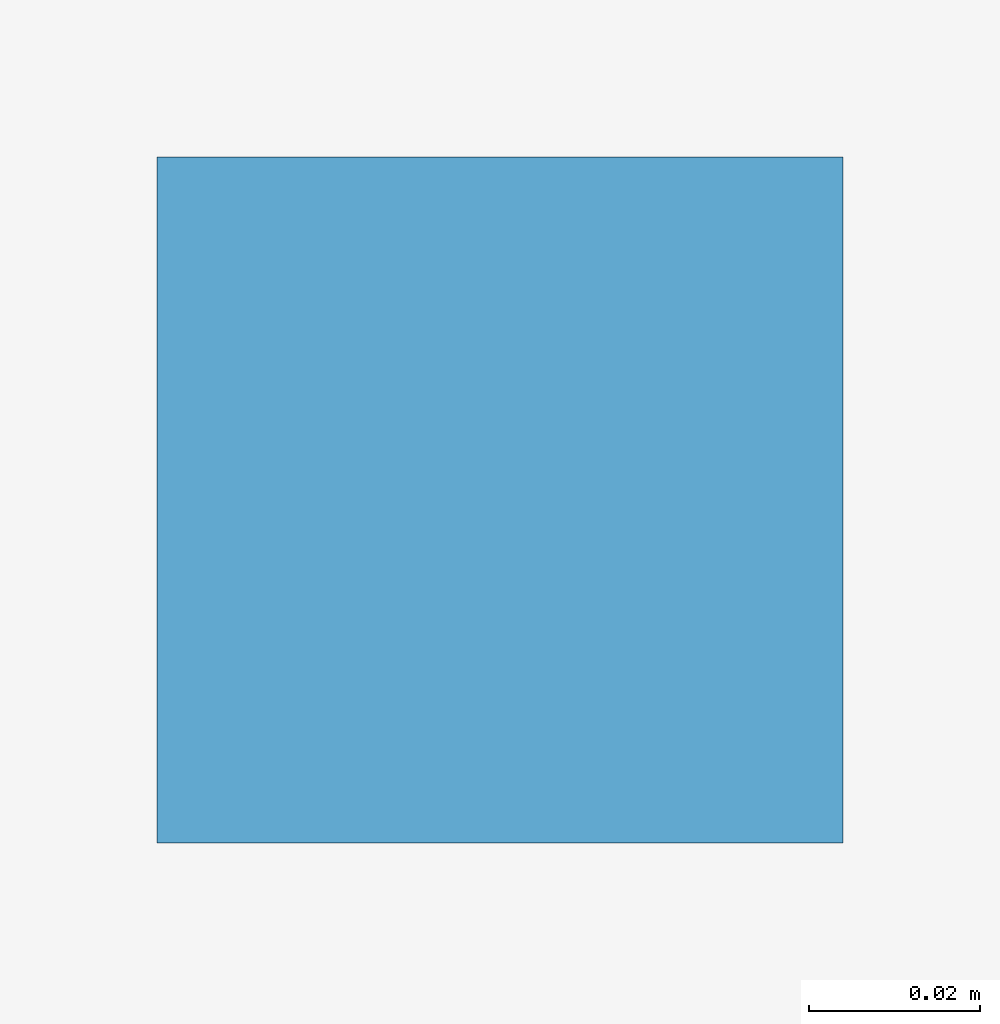
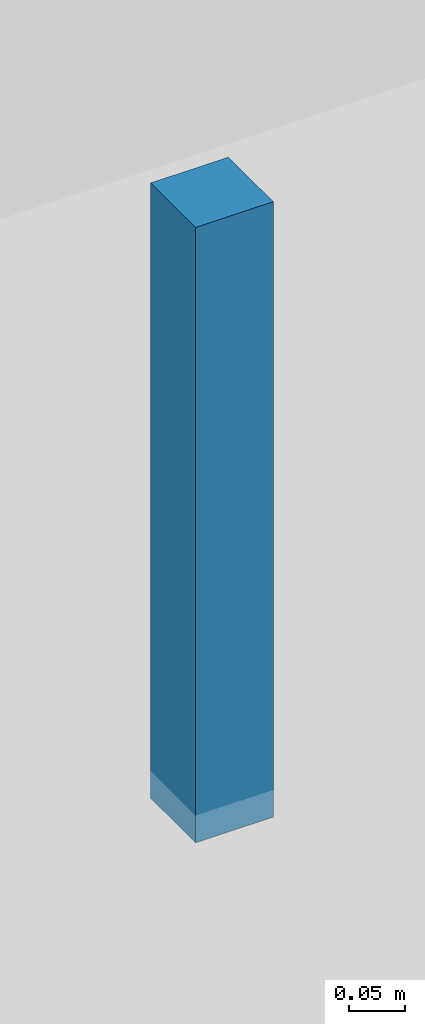
# One storey, part 12 of 17: 1 discrete accessory.
"""IFC4 building model written with IfcOpenShell, lengths in metres."""

from ifc_helpers import new_model, si_unit, direction, frame, origin, origin_2d, place, context, subcontext, project, spatial, rectangle, extrude, source, transform, mapped, material, type_object, element, save


model = new_model("IFC4")

# Units and contexts
model_context = context("Model", 3, precision=1e-05, world=origin(), true_north=direction((0.0, 1.0)))
body_context = subcontext(model_context, "Body", "Model", "MODEL_VIEW")
ifc_project = project(units=[si_unit("LENGTHUNIT", "METRE"), si_unit("AREAUNIT", "SQUARE_METRE"), si_unit("VOLUMEUNIT", "CUBIC_METRE"), si_unit("PLANEANGLEUNIT", "RADIAN"), si_unit("MASSUNIT", "GRAM", prefix="KILO")], contexts=[model_context])

# Site, building, storey
site_placement = place(None, origin())
site = spatial("IfcSite", under=ifc_project, at=site_placement, CompositionType="ELEMENT")
building_placement = place(site_placement, origin())
building = spatial("IfcBuilding", under=site, at=building_placement, Name="Giltprow Tower", CompositionType="ELEMENT")
storey_placement = place(building_placement, frame((0.0, 0.0, 195.699951171875)))
storey = spatial("IfcBuildingStorey", under=building, at=storey_placement, Name="L49", CompositionType="ELEMENT", Elevation=195.699951171875)

# Discrete accessory
ifc_material = material(Name="Structural steel Q355B", Category="steel")
discrete_accessory_type = type_object("IfcDiscreteAccessoryType", Name="ACC-CLG-HANGER", PredefinedType="BRACKET", material=ifc_material)
shared_shape = source(origin(), body_context, "Body", "SweptSolid", [
    extrude(rectangle(XDim=0.080078125, YDim=0.080078125, at=origin_2d()), origin(), (0.0, 0.0, 1.0), 0.669921875),
])
discrete_accessory_placement = place(storey_placement, frame((35.0, 36.10009765625, 2.6201171875), z_axis=(0.0, 0.0, 1.0), x_axis=(1.0, 0.0, 0.0)))
element("IfcDiscreteAccessory", 1, at=discrete_accessory_placement, inside=storey, type_object=discrete_accessory_type, Name="L49 Hotel Corridor Gypsum Ceiling Suspension Hanger", PredefinedType="BRACKET", context=body_context, shape_type="MappedRepresentation", body=[
    mapped(shared_shape, transform((0.0, 0.0, 0.0), x_axis=(1.0, 0.0, 0.0), y_axis=(0.0, 1.0, 0.0), z_axis=(0.0, 0.0, 1.0), scale=1.0)),
])

save(model, "model.ifc")
